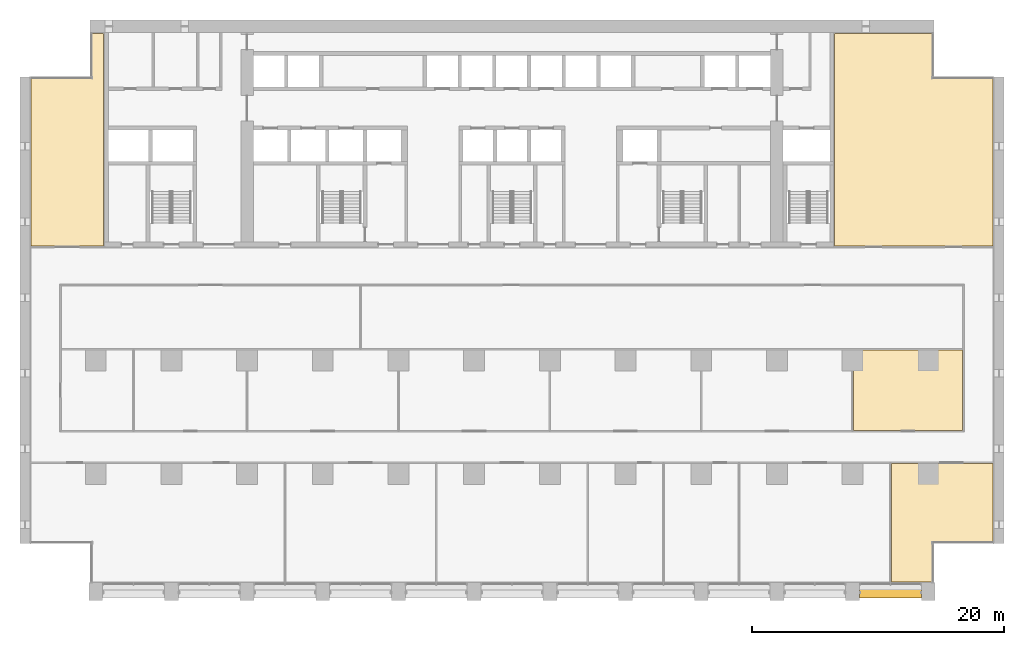
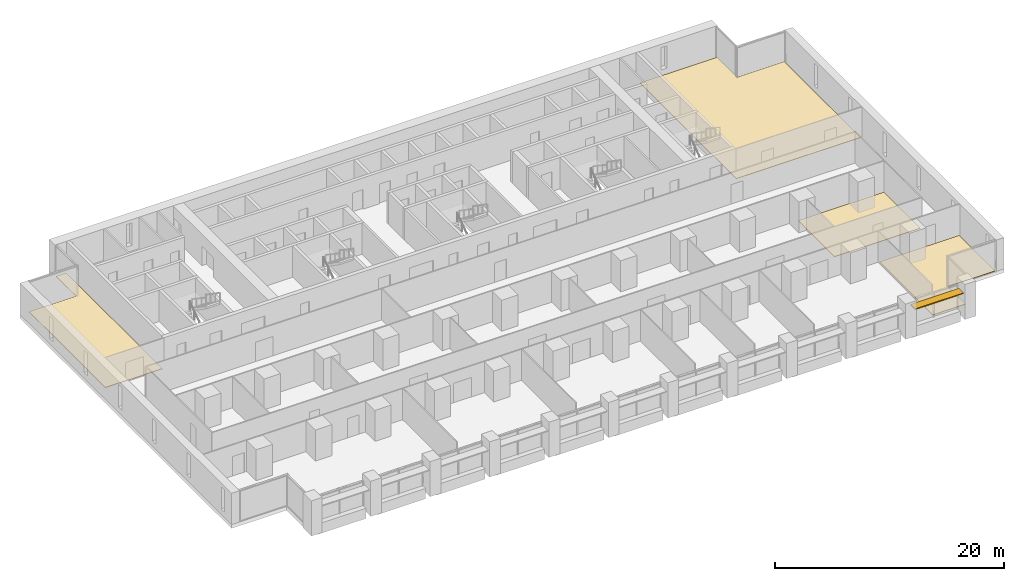
# One storey, part 18 of 18: 4 coverings, 1 shading device.
"""IFC4 building model written with IfcOpenShell, lengths in metres."""

from ifc_helpers import new_model, si_unit, direction, frame, origin, origin_2d, place, context, subcontext, project, spatial, polyline, rectangle, outline, extrude, material, layer, layer_set, material_profile, profile_set, type_object, element, save


model = new_model("IFC4")

# Units and contexts
model_context = context("Model", 3, precision=1e-05, world=origin(), true_north=direction((0.0, 1.0)))
body_context = subcontext(model_context, "Body", "Model", "MODEL_VIEW")
ifc_project = project(units=[si_unit("LENGTHUNIT", "METRE"), si_unit("AREAUNIT", "SQUARE_METRE"), si_unit("VOLUMEUNIT", "CUBIC_METRE"), si_unit("PLANEANGLEUNIT", "RADIAN"), si_unit("MASSUNIT", "GRAM", prefix="KILO")], contexts=[model_context])

# Site, building, storey
site_placement = place(None, origin())
site = spatial("IfcSite", under=ifc_project, at=site_placement, CompositionType="ELEMENT")
building_placement = place(site_placement, origin())
building = spatial("IfcBuilding", under=site, at=building_placement, Name="Calvaro Tower", CompositionType="ELEMENT")
storey_placement = place(building_placement, frame((0.0, 0.0, 60.0)))
storey = spatial("IfcBuildingStorey", under=building, at=storey_placement, Name="L14", CompositionType="ELEMENT", Elevation=60.0)

# Shading device
ifc_material_1 = material(Name="Anodised aluminium", Category="aluminium")
ifc_material_profile = material_profile(ifc_material_1, rectangle(XDim=0.800048828125, YDim=0.10009765625, at=origin_2d()), Name="Brise-soleil blade 800 x 100")
ifc_profile_set = profile_set([ifc_material_profile], Name="Anodised aluminium")
shading_device_type = type_object("IfcShadingDeviceType", Name="Brise-soleil blade 800 x 100", PredefinedType="JALOUSIE", material=ifc_profile_set)
shading_device_placement = place(storey_placement, frame((66.550048828125, 0.60009765625, 2.300048828125), z_axis=(1.0, 0.0, 0.0), x_axis=(0.0, 1.0, 0.0)))
element("IfcShadingDevice", 1, at=shading_device_placement, inside=storey, type_object=shading_device_type, Name="Brise-soleil blade 11", PredefinedType="JALOUSIE", context=body_context, shape_type="SweptSolid", body=[
    extrude(rectangle(XDim=0.800048828125, YDim=0.10009765625, at=origin_2d()), origin(), (0.0, 0.0, 1.0), 4.89990234375),
])

# Coverings
ifc_material_2 = material(Name="Cement screed with carpet tile finish")
ifc_layer = layer(ifc_material_2, 0.050048828125)
ifc_layer_set = layer_set([ifc_layer], Name="Cement screed with carpet tile finish")
covering_type = type_object("IfcCoveringType", Name="Floor finish 50", PredefinedType="FLOORING", material=ifc_layer_set)
covering_1_placement = place(storey_placement, origin())
element("IfcCovering", 2, at=covering_1_placement, inside=storey, type_object=covering_type, Name="Floor finish 12.08", PredefinedType="FLOORING", context=body_context, shape_type="SweptSolid", body=[
    extrude(outline(polyline([(77.1298828125, 4.570068359375), (72.3798828125, 4.570068359375), (72.3798828125, 1.469970703125), (69.070068359375, 1.469970703125), (69.070068359375, 10.830078125), (77.1298828125, 10.830078125), (77.1298828125, 4.570068359375)])), origin(), (0.0, 0.0, 1.0), 0.050048828125),
])
covering_2_placement = place(storey_placement, origin())
element("IfcCovering", 3, at=covering_2_placement, inside=storey, type_object=covering_type, Name="Floor finish 12.15", PredefinedType="FLOORING", context=body_context, shape_type="SweptSolid", body=[
    extrude(outline(polyline([(66.070068359375, 13.469970703125), (66.070068359375, 19.830078125), (74.72998046875, 19.830078125), (74.72998046875, 13.469970703125), (66.070068359375, 13.469970703125)])), origin(), (0.0, 0.0, 1.0), 0.050048828125),
])
covering_3_placement = place(storey_placement, origin())
element("IfcCovering", 4, at=covering_3_placement, inside=storey, type_object=covering_type, Name="Floor finish 12.18", PredefinedType="FLOORING", context=body_context, shape_type="SweptSolid", body=[
    extrude(outline(polyline([(6.6298828125, 28.070068359375), (0.8701171875, 28.070068359375), (0.8701171875, 41.429931640625), (5.6201171875, 41.429931640625), (5.6201171875, 44.929931640625), (6.6298828125, 44.929931640625), (6.6298828125, 28.070068359375)])), origin(), (0.0, 0.0, 1.0), 0.050048828125),
])
covering_4_placement = place(storey_placement, origin())
element("IfcCovering", 5, at=covering_4_placement, inside=storey, type_object=covering_type, Name="Floor finish 12.19", PredefinedType="FLOORING", context=body_context, shape_type="SweptSolid", body=[
    extrude(outline(polyline([(77.1298828125, 28.070068359375), (64.570068359375, 28.070068359375), (64.570068359375, 44.929931640625), (72.3798828125, 44.929931640625), (72.3798828125, 41.429931640625), (77.1298828125, 41.429931640625), (77.1298828125, 28.070068359375)])), origin(), (0.0, 0.0, 1.0), 0.050048828125),
])

save(model, "model.ifc")
